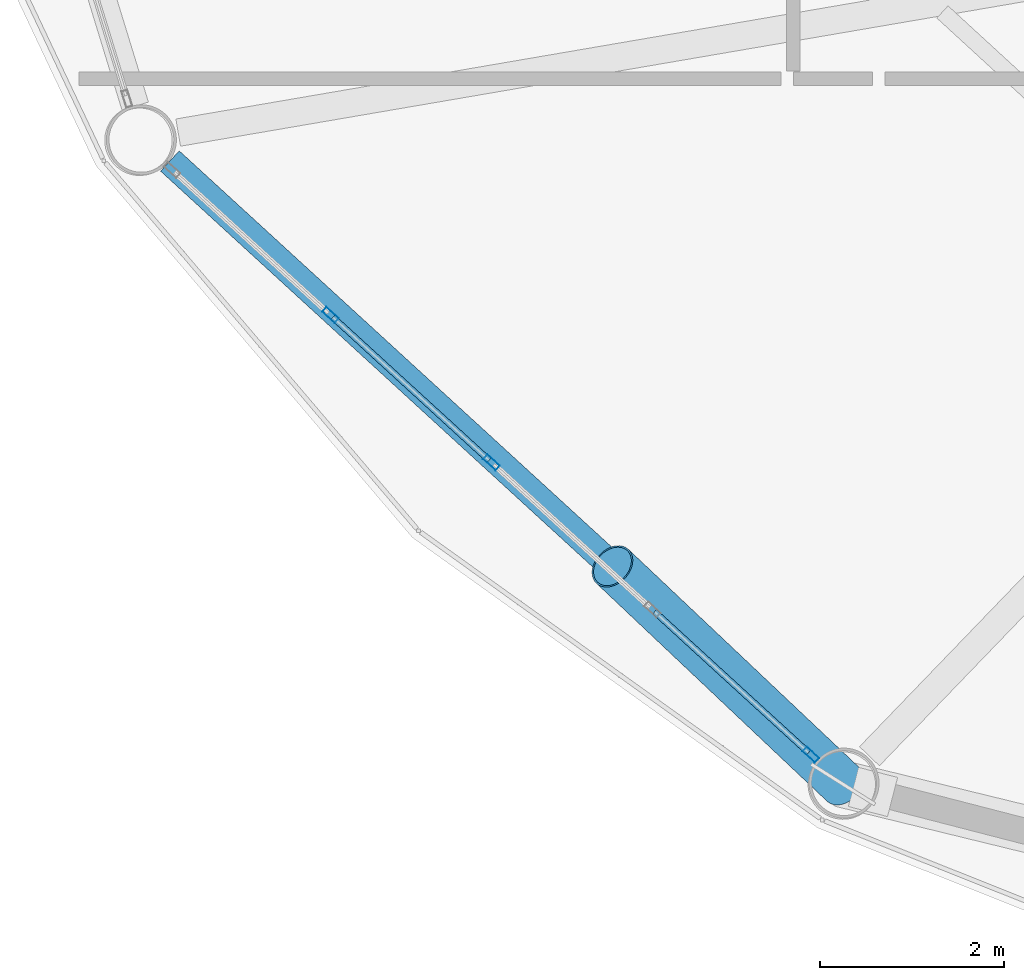
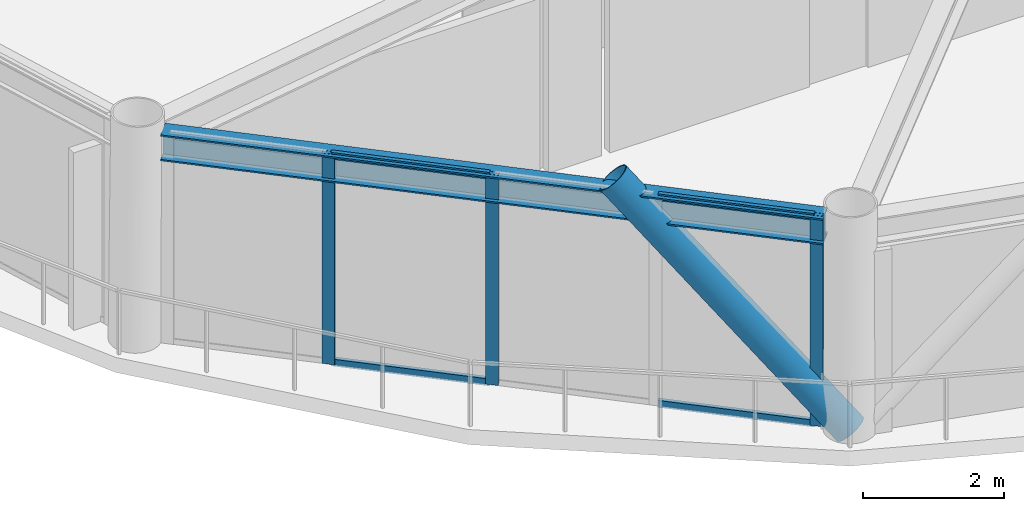
# One storey, part 2 of 27: 8 members, 1 beam, 1 element without a shape of its own.
"""IFC4 building model written with IfcOpenShell, lengths in metres."""

import ifcopenshell
import ifcopenshell.guid

model = None  # the IFC model being written
_history = None  # IfcOwnerHistory: only IFC2X3 demands one
_inside = {}  # id of a spatial element -> (the spatial element, [elements in it])
_under = {}  # id of a project, library or spatial element -> (it, [spatial elements below it])
_declared = {}  # id of a project -> (the project, [libraries it declares])
_typed = {}  # id of a type object -> (the type object, [elements of that type])
_made_of = {}  # id of a material, layer set ... -> (it, [elements and type objects made of it])


def new_model(schema):
    """Start an empty IFC model of exactly this schema.

    Asked for "IFC4X3", IfcOpenShell would pick the latest addendum, in which some entities
    have other attributes; the version numbers below select the first issue.
    IFC2X3 requires an IfcOwnerHistory on every rooted entity: one is made here for all.
    """
    global model, _history
    if schema == "IFC4X3":
        model = ifcopenshell.file(schema_version=(4, 3, 0, 0))
    else:
        model = ifcopenshell.file(schema=schema)
    _inside.clear()
    _under.clear()
    _declared.clear()
    _typed.clear()
    _made_of.clear()
    _history = None
    if model.schema == "IFC2X3":
        org = make("IfcOrganization", Name="unknown")
        user = make(
            "IfcPersonAndOrganization",
            ThePerson=make("IfcPerson", FamilyName="unknown"),
            TheOrganization=org,
        )
        app = make(
            "IfcApplication",
            ApplicationDeveloper=org,
            Version="unknown",
            ApplicationFullName="unknown",
            ApplicationIdentifier="unknown",
        )
        _history = make(
            "IfcOwnerHistory",
            OwningUser=user,
            OwningApplication=app,
            ChangeAction="ADDED",
            CreationDate=0,
        )
    return model


def make(cls, **values):
    """One entity of the class cls with the attributes given. An attribute that is None is left unset."""
    return model.create_entity(
        cls, **{name: value for name, value in values.items() if value is not None}
    )


def rooted(cls, **values):
    """An entity with a GlobalId (a new one), such as an element, a storey or a relation."""
    return make(cls, GlobalId=ifcopenshell.guid.new(), OwnerHistory=_history, **values)


def si_unit(unit_type, name, prefix=None):
    """IfcSIUnit, for example si_unit("LENGTHUNIT", "METRE", prefix="MILLI")."""
    return make("IfcSIUnit", UnitType=unit_type, Prefix=prefix, Name=name)


def assignment(units):
    """IfcUnitAssignment: the units of a project."""
    return None if units is None else make("IfcUnitAssignment", Units=units)


def point(xyz):
    """IfcCartesianPoint."""
    return None if xyz is None else make("IfcCartesianPoint", Coordinates=xyz)


def direction(xyz):
    """IfcDirection."""
    return None if xyz is None else make("IfcDirection", DirectionRatios=xyz)


def frame(location, z_axis=None, x_axis=None):
    """IfcAxis2Placement3D, a coordinate frame: its origin and axes. An axis left out is left unset."""
    return make(
        "IfcAxis2Placement3D",
        Location=point(location),
        Axis=direction(z_axis),
        RefDirection=direction(x_axis),
    )


def frame_2d(location, x_axis=None):
    """IfcAxis2Placement2D, a coordinate frame in the plane: its origin and x axis."""
    return make(
        "IfcAxis2Placement2D", Location=point(location), RefDirection=direction(x_axis)
    )


def origin():
    """The frame at (0, 0, 0) with its axes left unset."""
    return frame((0.0, 0.0, 0.0))


def origin_2d():
    """The frame at (0, 0) in the plane with its x axis left unset."""
    return frame_2d((0.0, 0.0))


def place(relative_to, where):
    """IfcLocalPlacement: puts the frame where relative to a parent placement (None: the world)."""
    return make(
        "IfcLocalPlacement", PlacementRelTo=relative_to, RelativePlacement=where
    )


def context(
    kind, dimensions, precision=None, world=None, true_north=None, identifier=None
):
    """IfcGeometricRepresentationContext, for example the 3D "Model" context."""
    return make(
        "IfcGeometricRepresentationContext",
        ContextIdentifier=identifier,
        ContextType=kind,
        CoordinateSpaceDimension=dimensions,
        Precision=precision,
        WorldCoordinateSystem=world,
        TrueNorth=true_north,
    )


def subcontext(parent, identifier, kind, view, scale=None):
    """IfcGeometricRepresentationSubContext, for example "Body" below "Model"."""
    return make(
        "IfcGeometricRepresentationSubContext",
        ContextIdentifier=identifier,
        ContextType=kind,
        ParentContext=parent,
        TargetScale=scale,
        TargetView=view,
    )


def project(units=None, contexts=None):
    """IfcProject with its units and contexts."""
    return rooted(
        "IfcProject",
        Name="project",
        RepresentationContexts=contexts,
        UnitsInContext=assignment(units),
    )


def spatial(cls, under=None, at=None, **own):
    """A site, building, storey or space (cls), placed at a placement, below another one or the project."""
    s = rooted(cls, ObjectPlacement=at, **own)
    if under is not None:
        _under.setdefault(under.id(), (under, []))[1].append(s)
    return s


def profile(cls, at=None, kind="AREA", **sizes):
    """A parametric profile (cls). Its sizes go by their IFC names, for example OverallWidth=200.0."""
    return make(cls, ProfileType=kind, Position=at, **sizes)


def hollow_rectangle(**sizes):
    """IfcRectangleHollowProfileDef."""
    return profile("IfcRectangleHollowProfileDef", **sizes)


def hollow_circle(**sizes):
    """IfcCircleHollowProfileDef."""
    return profile("IfcCircleHollowProfileDef", **sizes)


def i_section(**sizes):
    """IfcIShapeProfileDef."""
    return profile("IfcIShapeProfileDef", **sizes)


def extrude(swept, where, along, depth):
    """IfcExtrudedAreaSolid: the profile swept, set in the frame where, extruded along a direction by depth."""
    return make(
        "IfcExtrudedAreaSolid",
        SweptArea=swept,
        Position=where,
        ExtrudedDirection=direction(along),
        Depth=depth,
    )


def shape(context_of_items, identifier, shape_type, items):
    """IfcShapeRepresentation: the items that make up one representation, for example the "Body"."""
    return make(
        "IfcShapeRepresentation",
        ContextOfItems=context_of_items,
        RepresentationIdentifier=identifier,
        RepresentationType=shape_type,
        Items=items,
    )


def material(Name=None, Category=None):
    """IfcMaterial."""
    return make("IfcMaterial", Name=Name, Category=Category)


def layer(
    of_material, thickness, ventilated=None, Name=None, Category=None, Priority=None
):
    """IfcMaterialLayer: one layer of a wall or slab, of a material (None: an air gap)."""
    return make(
        "IfcMaterialLayer",
        Material=of_material,
        LayerThickness=thickness,
        IsVentilated=ventilated,
        Name=Name,
        Category=Category,
        Priority=Priority,
    )


def layer_set(layers, Name=None):
    """IfcMaterialLayerSet."""
    return make("IfcMaterialLayerSet", MaterialLayers=layers, LayerSetName=Name)


def material_profile(
    of_material, cross_section, Name=None, Category=None, Priority=None
):
    """IfcMaterialProfile: a cross section and its material."""
    return make(
        "IfcMaterialProfile",
        Name=Name,
        Material=of_material,
        Profile=cross_section,
        Priority=Priority,
        Category=Category,
    )


def profile_set(profiles, Name=None, composite=None):
    """IfcMaterialProfileSet."""
    return make(
        "IfcMaterialProfileSet",
        Name=Name,
        MaterialProfiles=profiles,
        CompositeProfile=composite,
    )


def made_of(thing, what):
    """Note that an element or type object is made of a material, layer set ...; save() writes the relation."""
    if what is not None:
        _made_of.setdefault(what.id(), (what, []))[1].append(thing)
    return thing


def type_object(cls, material=None, **own):
    """A type object (cls), such as IfcWallType, which elements share."""
    return made_of(rooted(cls, **own), material)


def element(
    cls,
    number,
    at=None,
    inside=None,
    cuts=None,
    type_object=None,
    material=None,
    context=None,
    identifier="Body",
    shape_type=None,
    held_by="IfcProductDefinitionShape",
    body=None,
    shapes=None,
    **own,
):
    """One element of the class cls, such as IfcWall. Its Tag is "e" and its number.

    at: its placement. inside: the storey or other place that contains it. cuts: it is an
    opening in that element (IfcRelVoidsElement). A single representation is given by context,
    identifier, shape_type and body (its items); several are given by shapes. held_by: the class
    of the entity that holds the representations. save() writes the other relations.
    """
    e = rooted(cls, Tag="e%d" % number, ObjectPlacement=at, **own)
    if body is not None:
        shapes = [shape(context, identifier, shape_type, body)]
    if shapes is not None:
        e.Representation = make(held_by, Representations=shapes)
    if inside is not None:
        _inside.setdefault(inside.id(), (inside, []))[1].append(e)
    if cuts is not None:
        rooted(
            "IfcRelVoidsElement", RelatingBuildingElement=cuts, RelatedOpeningElement=e
        )
    if type_object is not None:
        _typed.setdefault(type_object.id(), (type_object, []))[1].append(e)
    return made_of(e, material)


def aggregate(whole, parts):
    """IfcRelAggregates: a whole, such as a stair, and the parts it consists of."""
    return rooted("IfcRelAggregates", RelatingObject=whole, RelatedObjects=parts)


def save(model, path):
    """Write the relations noted so far, then the file.

    IfcRelAggregates (storeys below a building ...), IfcRelContainedInSpatialStructure (elements
    in a storey), IfcRelDefinesByType, IfcRelAssociatesMaterial and IfcRelDeclares: one each for
    every whole, place, type object, material and project.
    """
    for whole, parts in _under.values():
        aggregate(whole, parts)
    for where, things in _inside.values():
        rooted(
            "IfcRelContainedInSpatialStructure",
            RelatedElements=things,
            RelatingStructure=where,
        )
    for kind, things in _typed.values():
        rooted("IfcRelDefinesByType", RelatedObjects=things, RelatingType=kind)
    for what, things in _made_of.values():
        rooted("IfcRelAssociatesMaterial", RelatedObjects=things, RelatingMaterial=what)
    for by, libraries in _declared.values():
        rooted("IfcRelDeclares", RelatingContext=by, RelatedDefinitions=libraries)
    model.write(path)


model = new_model("IFC4")

# Units and contexts
model_context = context("Model", 3, precision=1e-05, world=origin(), true_north=direction((0.0, 1.0)))
body_context = subcontext(model_context, "Body", "Model", "MODEL_VIEW")
ifc_project = project(units=[si_unit("LENGTHUNIT", "METRE"), si_unit("AREAUNIT", "SQUARE_METRE"), si_unit("VOLUMEUNIT", "CUBIC_METRE"), si_unit("PLANEANGLEUNIT", "RADIAN"), si_unit("MASSUNIT", "GRAM", prefix="KILO")], contexts=[model_context])

# Site, building, storey
site_placement = place(None, origin())
site = spatial("IfcSite", under=ifc_project, at=site_placement, CompositionType="ELEMENT")
building_placement = place(site_placement, origin())
building = spatial("IfcBuilding", under=site, at=building_placement, Name="Varnakorn Sky Granary", CompositionType="ELEMENT")
storey_placement = place(building_placement, frame((0.0, 0.0, 134.39990234375)))
storey = spatial("IfcBuildingStorey", under=building, at=storey_placement, Name="L33", CompositionType="ELEMENT", Elevation=134.39990234375)

# Beam
ifc_material_1 = material(Name="Steel S355JR", Category="steel")
ifc_material_profile_1 = material_profile(ifc_material_1, i_section(OverallWidth=0.300048828125, OverallDepth=0.449951171875, WebThickness=0.013916015625, FlangeThickness=0.02587890625, at=origin_2d()), Name="HE 450 B")
ifc_profile_set_1 = profile_set([ifc_material_profile_1], Name="Steel S355JR")
beam_type = type_object("IfcBeamType", Name="BM-SPD-Z3", PredefinedType="SPANDREL", material=ifc_profile_set_1)
beam_placement = place(storey_placement, frame((-19.284912109375, -9.795166015625, 3.4150390625), z_axis=(0.737414391393, -0.675440608319, 0.0), x_axis=(0.675440608319, 0.737414391393, 0.0)))
element("IfcBeam", 1, at=beam_placement, inside=storey, type_object=beam_type, Name="Perimeter Spandrel Ring Beam RB08 L33", PredefinedType="SPANDREL", context=body_context, shape_type="SweptSolid", body=[
    extrude(i_section(OverallWidth=0.300048828125, OverallDepth=0.449951171875, WebThickness=0.013916015625, FlangeThickness=0.02587890625, at=origin_2d()), origin(), (0.0, 0.0, 1.0), 9.6162109375),
])

# Curtain wall, members
ifc_material_2 = material(Name="Anodised Bronze Aluminium Alloy 6063-T6", Category="aluminium")
ifc_layer = layer(ifc_material_2, 0.179931640625, Name="Anodised Bronze Aluminium Alloy 6063-T6")
ifc_layer_set = layer_set([ifc_layer], Name="Anodised Bronze Aluminium Alloy 6063-T6")
curtain_wall_type = type_object("IfcCurtainWallType", Name="CW-FRM-2", PredefinedType="USERDEFINED", material=ifc_layer_set)
curtain_wall_placement = place(storey_placement, origin())
curtain_wall = element("IfcCurtainWall", 2, at=curtain_wall_placement, inside=storey, type_object=curtain_wall_type, Name="Unitised Curtain Wall CW4 CW-L33-B08", ObjectType="CURTAIN WALL", PredefinedType="USERDEFINED")
ifc_material_profile_2 = material_profile(ifc_material_2, hollow_rectangle(XDim=0.070068359375, YDim=0.18505859375, WallThickness=0.00390625, at=origin_2d()), Name="ALU MULL 70x185")
ifc_profile_set_2 = profile_set([ifc_material_profile_2], Name="Anodised Bronze Aluminium Alloy 6063-T6")
member_type_1 = type_object("IfcMemberType", Name="CW-FRM-2-MULL", PredefinedType="MULLION", material=ifc_profile_set_2)
member_1_placement = place(storey_placement, frame((-12.30859375, -16.2578125, 0.0), z_axis=(0.0, 0.0, 1.0), x_axis=(-0.675182733871, -0.737650510664, 0.0)))
member_1 = element("IfcMember", 3, at=member_1_placement, type_object=member_type_1, Name="CW4 mullion 1", PredefinedType="MULLION", context=body_context, shape_type="SweptSolid", body=[
    extrude(hollow_rectangle(XDim=0.070068359375, YDim=0.18505859375, WallThickness=0.00390625, at=origin_2d()), origin(), (0.0, 0.0, 1.0), 3.64013671875),
])
member_2_placement = place(storey_placement, frame((-15.78515625, -13.07568359375, 0.0), z_axis=(0.0, 0.0, 1.0), x_axis=(-0.675182733871, -0.737650510664, 0.0)))
member_2 = element("IfcMember", 4, at=member_2_placement, type_object=member_type_1, Name="CW4 mullion 3", PredefinedType="MULLION", context=body_context, shape_type="SweptSolid", body=[
    extrude(hollow_rectangle(XDim=0.070068359375, YDim=0.18505859375, WallThickness=0.00390625, at=origin_2d()), origin(), (0.0, 0.0, 1.0), 3.64013671875),
])
member_3_placement = place(storey_placement, frame((-17.536376953125, -11.47265625, 0.0), z_axis=(0.0, 0.0, 1.0), x_axis=(-0.675182733871, -0.737650510664, 0.0)))
member_3 = element("IfcMember", 5, at=member_3_placement, type_object=member_type_1, Name="CW4 mullion 4", PredefinedType="MULLION", context=body_context, shape_type="SweptSolid", body=[
    extrude(hollow_rectangle(XDim=0.070068359375, YDim=0.18505859375, WallThickness=0.00390625, at=origin_2d()), origin(), (0.0, 0.0, 1.0), 3.64013671875),
])
ifc_material_profile_3 = material_profile(ifc_material_2, hollow_rectangle(XDim=0.06494140625, YDim=0.1201171875, WallThickness=0.00341796875, at=origin_2d()), Name="ALU TRAN 65x120")
ifc_profile_set_3 = profile_set([ifc_material_profile_3], Name="Anodised Bronze Aluminium Alloy 6063-T6")
member_type_2 = type_object("IfcMemberType", Name="CW-FRM-2-TRAN", PredefinedType="USERDEFINED", material=ifc_profile_set_3)
member_4_placement = place(storey_placement, frame((-12.33447265625, -16.234130859375, 0.03271484375), z_axis=(-0.737672004094, 0.675159251122, 0.0), x_axis=(-0.675159251122, -0.737672004094, 0.0)))
member_4 = element("IfcMember", 6, at=member_4_placement, type_object=member_type_2, Name="CW4 transom 1.1", ObjectType="TRANSOM", PredefinedType="USERDEFINED", context=body_context, shape_type="SweptSolid", body=[
    extrude(hollow_rectangle(XDim=0.06494140625, YDim=0.1201171875, WallThickness=0.00341796875, at=origin_2d()), origin(), (0.0, 0.0, 1.0), 2.26904296875),
])
member_5_placement = place(storey_placement, frame((-12.33447265625, -16.234130859375, 3.607666015625), z_axis=(-0.737672004094, 0.675159251122, 0.0), x_axis=(-0.675159251122, -0.737672004094, 0.0)))
member_5 = element("IfcMember", 7, at=member_5_placement, type_object=member_type_2, Name="CW4 transom 1.2", ObjectType="TRANSOM", PredefinedType="USERDEFINED", context=body_context, shape_type="SweptSolid", body=[
    extrude(hollow_rectangle(XDim=0.06494140625, YDim=0.1201171875, WallThickness=0.00341796875, at=origin_2d()), origin(), (0.0, 0.0, 1.0), 2.26904296875),
])
member_6_placement = place(storey_placement, frame((-15.81103515625, -13.052001953125, 0.03271484375), z_axis=(-0.737624607375, 0.675211032638, 0.0), x_axis=(-0.675211032638, -0.737624607375, 0.0)))
member_6 = element("IfcMember", 8, at=member_6_placement, type_object=member_type_2, Name="CW4 transom 3.1", ObjectType="TRANSOM", PredefinedType="USERDEFINED", context=body_context, shape_type="SweptSolid", body=[
    extrude(hollow_rectangle(XDim=0.06494140625, YDim=0.1201171875, WallThickness=0.00341796875, at=origin_2d()), origin(), (0.0, 0.0, 1.0), 2.303955078125),
])
member_7_placement = place(storey_placement, frame((-15.81103515625, -13.052001953125, 3.607666015625), z_axis=(-0.737624607375, 0.675211032638, 0.0), x_axis=(-0.675211032638, -0.737624607375, 0.0)))
member_7 = element("IfcMember", 9, at=member_7_placement, type_object=member_type_2, Name="CW4 transom 3.2", ObjectType="TRANSOM", PredefinedType="USERDEFINED", context=body_context, shape_type="SweptSolid", body=[
    extrude(hollow_rectangle(XDim=0.06494140625, YDim=0.1201171875, WallThickness=0.00341796875, at=origin_2d()), origin(), (0.0, 0.0, 1.0), 2.303955078125),
])
aggregate(curtain_wall, [member_1, member_2, member_3, member_4, member_5, member_6, member_7])

# Member
ifc_material_3 = material(Name="Steel S460M", Category="steel")
ifc_material_profile_4 = material_profile(ifc_material_3, hollow_circle(Radius=0.25390625, WallThickness=0.01806640625, at=origin_2d()), Name="CHS 508x18")
ifc_profile_set_4 = profile_set([ifc_material_profile_4], Name="Steel S460M")
member_type_3 = type_object("IfcMemberType", Name="MB-DIAG-T2", PredefinedType="BRACE", material=ifc_profile_set_4)
member_8_placement = place(storey_placement, frame((-11.95751953125, -16.5791015625, 0.0), z_axis=(-0.489551499458, 0.462504981445, 0.739208002877), x_axis=(-0.686741862629, -0.726901378533, 0.0)))
element("IfcMember", 10, at=member_8_placement, inside=storey, type_object=member_type_3, Name="Perimeter CHS Diagrid Brace DG08 L33", PredefinedType="BRACE", context=body_context, shape_type="SweptSolid", body=[
    extrude(hollow_circle(Radius=0.25390625, WallThickness=0.01806640625, at=origin_2d()), origin(), (0.0, 0.0, 1.0), 5.127197265625),
])

save(model, "model.ifc")
